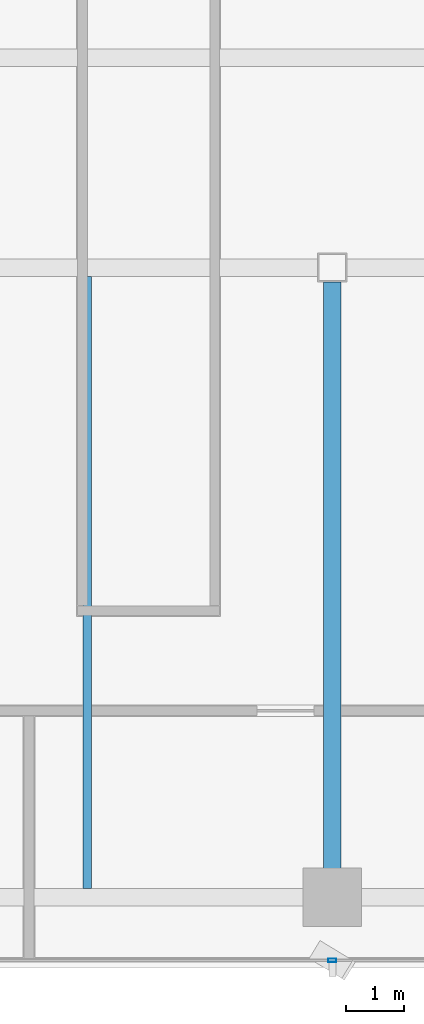
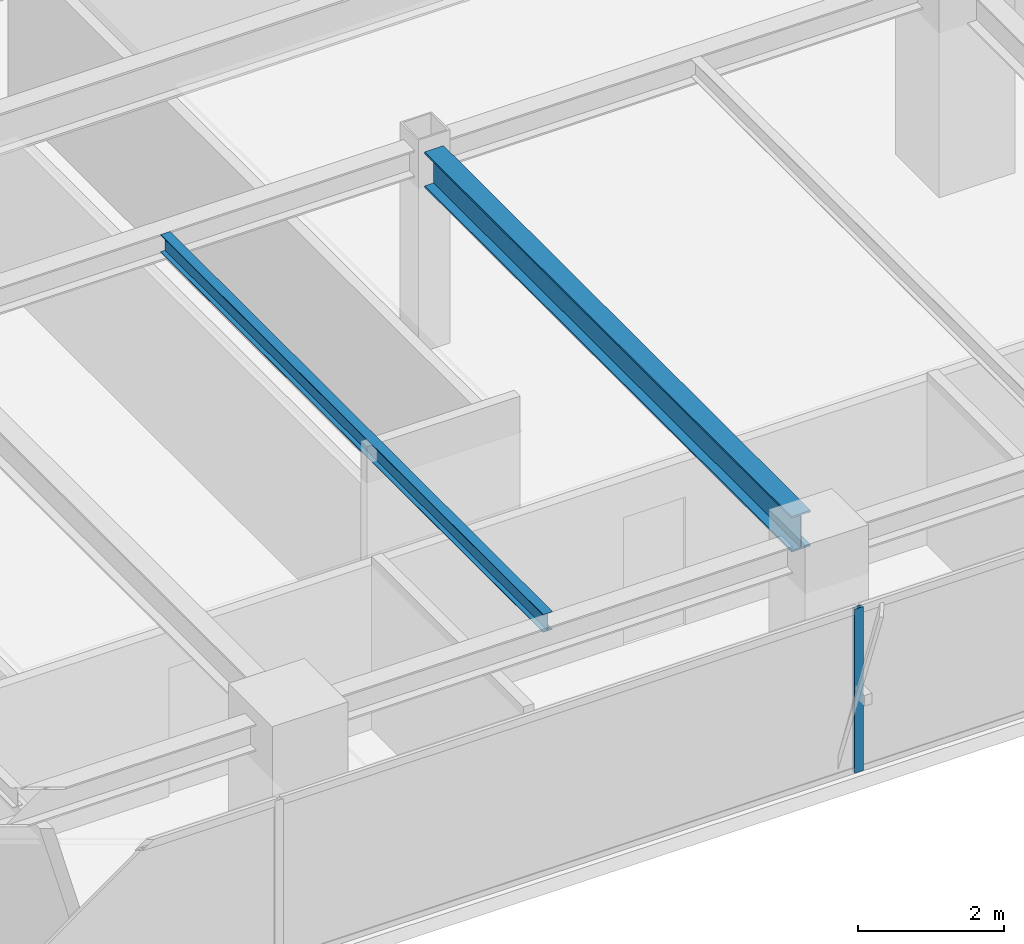
# One storey, part 6 of 26: 2 beams, 1 member, 1 element without a shape of its own.
"""IFC4 building model written with IfcOpenShell, lengths in metres."""

import ifcopenshell
import ifcopenshell.guid

model = None  # the IFC model being written
_history = None  # IfcOwnerHistory: only IFC2X3 demands one
_inside = {}  # id of a spatial element -> (the spatial element, [elements in it])
_under = {}  # id of a project, library or spatial element -> (it, [spatial elements below it])
_declared = {}  # id of a project -> (the project, [libraries it declares])
_typed = {}  # id of a type object -> (the type object, [elements of that type])
_made_of = {}  # id of a material, layer set ... -> (it, [elements and type objects made of it])


def new_model(schema):
    """Start an empty IFC model of exactly this schema.

    Asked for "IFC4X3", IfcOpenShell would pick the latest addendum, in which some entities
    have other attributes; the version numbers below select the first issue.
    IFC2X3 requires an IfcOwnerHistory on every rooted entity: one is made here for all.
    """
    global model, _history
    if schema == "IFC4X3":
        model = ifcopenshell.file(schema_version=(4, 3, 0, 0))
    else:
        model = ifcopenshell.file(schema=schema)
    _inside.clear()
    _under.clear()
    _declared.clear()
    _typed.clear()
    _made_of.clear()
    _history = None
    if model.schema == "IFC2X3":
        org = make("IfcOrganization", Name="unknown")
        user = make(
            "IfcPersonAndOrganization",
            ThePerson=make("IfcPerson", FamilyName="unknown"),
            TheOrganization=org,
        )
        app = make(
            "IfcApplication",
            ApplicationDeveloper=org,
            Version="unknown",
            ApplicationFullName="unknown",
            ApplicationIdentifier="unknown",
        )
        _history = make(
            "IfcOwnerHistory",
            OwningUser=user,
            OwningApplication=app,
            ChangeAction="ADDED",
            CreationDate=0,
        )
    return model


def make(cls, **values):
    """One entity of the class cls with the attributes given. An attribute that is None is left unset."""
    return model.create_entity(
        cls, **{name: value for name, value in values.items() if value is not None}
    )


def rooted(cls, **values):
    """An entity with a GlobalId (a new one), such as an element, a storey or a relation."""
    return make(cls, GlobalId=ifcopenshell.guid.new(), OwnerHistory=_history, **values)


def si_unit(unit_type, name, prefix=None):
    """IfcSIUnit, for example si_unit("LENGTHUNIT", "METRE", prefix="MILLI")."""
    return make("IfcSIUnit", UnitType=unit_type, Prefix=prefix, Name=name)


def assignment(units):
    """IfcUnitAssignment: the units of a project."""
    return None if units is None else make("IfcUnitAssignment", Units=units)


def point(xyz):
    """IfcCartesianPoint."""
    return None if xyz is None else make("IfcCartesianPoint", Coordinates=xyz)


def direction(xyz):
    """IfcDirection."""
    return None if xyz is None else make("IfcDirection", DirectionRatios=xyz)


def frame(location, z_axis=None, x_axis=None):
    """IfcAxis2Placement3D, a coordinate frame: its origin and axes. An axis left out is left unset."""
    return make(
        "IfcAxis2Placement3D",
        Location=point(location),
        Axis=direction(z_axis),
        RefDirection=direction(x_axis),
    )


def frame_2d(location, x_axis=None):
    """IfcAxis2Placement2D, a coordinate frame in the plane: its origin and x axis."""
    return make(
        "IfcAxis2Placement2D", Location=point(location), RefDirection=direction(x_axis)
    )


def origin():
    """The frame at (0, 0, 0) with its axes left unset."""
    return frame((0.0, 0.0, 0.0))


def origin_2d():
    """The frame at (0, 0) in the plane with its x axis left unset."""
    return frame_2d((0.0, 0.0))


def place(relative_to, where):
    """IfcLocalPlacement: puts the frame where relative to a parent placement (None: the world)."""
    return make(
        "IfcLocalPlacement", PlacementRelTo=relative_to, RelativePlacement=where
    )


def context(
    kind, dimensions, precision=None, world=None, true_north=None, identifier=None
):
    """IfcGeometricRepresentationContext, for example the 3D "Model" context."""
    return make(
        "IfcGeometricRepresentationContext",
        ContextIdentifier=identifier,
        ContextType=kind,
        CoordinateSpaceDimension=dimensions,
        Precision=precision,
        WorldCoordinateSystem=world,
        TrueNorth=true_north,
    )


def subcontext(parent, identifier, kind, view, scale=None):
    """IfcGeometricRepresentationSubContext, for example "Body" below "Model"."""
    return make(
        "IfcGeometricRepresentationSubContext",
        ContextIdentifier=identifier,
        ContextType=kind,
        ParentContext=parent,
        TargetScale=scale,
        TargetView=view,
    )


def project(units=None, contexts=None):
    """IfcProject with its units and contexts."""
    return rooted(
        "IfcProject",
        Name="project",
        RepresentationContexts=contexts,
        UnitsInContext=assignment(units),
    )


def spatial(cls, under=None, at=None, **own):
    """A site, building, storey or space (cls), placed at a placement, below another one or the project."""
    s = rooted(cls, ObjectPlacement=at, **own)
    if under is not None:
        _under.setdefault(under.id(), (under, []))[1].append(s)
    return s


def profile(cls, at=None, kind="AREA", **sizes):
    """A parametric profile (cls). Its sizes go by their IFC names, for example OverallWidth=200.0."""
    return make(cls, ProfileType=kind, Position=at, **sizes)


def hollow_rectangle(**sizes):
    """IfcRectangleHollowProfileDef."""
    return profile("IfcRectangleHollowProfileDef", **sizes)


def i_section(**sizes):
    """IfcIShapeProfileDef."""
    return profile("IfcIShapeProfileDef", **sizes)


def extrude(swept, where, along, depth):
    """IfcExtrudedAreaSolid: the profile swept, set in the frame where, extruded along a direction by depth."""
    return make(
        "IfcExtrudedAreaSolid",
        SweptArea=swept,
        Position=where,
        ExtrudedDirection=direction(along),
        Depth=depth,
    )


def shape(context_of_items, identifier, shape_type, items):
    """IfcShapeRepresentation: the items that make up one representation, for example the "Body"."""
    return make(
        "IfcShapeRepresentation",
        ContextOfItems=context_of_items,
        RepresentationIdentifier=identifier,
        RepresentationType=shape_type,
        Items=items,
    )


def source(mapping_origin, context_of_items, identifier, shape_type, items):
    """IfcRepresentationMap: a shape defined once, which mapped items show again and again."""
    return make(
        "IfcRepresentationMap",
        MappingOrigin=mapping_origin,
        MappedRepresentation=shape(context_of_items, identifier, shape_type, items),
    )


def transform(
    local_origin,
    x_axis=None,
    y_axis=None,
    z_axis=None,
    scale=None,
    scale2=None,
    scale3=None,
    uniform=True,
):
    """IfcCartesianTransformationOperator3D, or its non-uniform kind. x_axis, y_axis, z_axis: its Axis1, 2, 3."""
    if uniform:
        return make(
            "IfcCartesianTransformationOperator3D",
            Axis1=direction(x_axis),
            Axis2=direction(y_axis),
            LocalOrigin=point(local_origin),
            Scale=scale,
            Axis3=direction(z_axis),
        )
    return make(
        "IfcCartesianTransformationOperator3DnonUniform",
        Axis1=direction(x_axis),
        Axis2=direction(y_axis),
        LocalOrigin=point(local_origin),
        Scale=scale,
        Axis3=direction(z_axis),
        Scale2=scale2,
        Scale3=scale3,
    )


def mapped(mapping_source, mapping_target):
    """IfcMappedItem: shows the shape of a source again, moved by a transform."""
    return make(
        "IfcMappedItem", MappingSource=mapping_source, MappingTarget=mapping_target
    )


def material(Name=None, Category=None):
    """IfcMaterial."""
    return make("IfcMaterial", Name=Name, Category=Category)


def layer(
    of_material, thickness, ventilated=None, Name=None, Category=None, Priority=None
):
    """IfcMaterialLayer: one layer of a wall or slab, of a material (None: an air gap)."""
    return make(
        "IfcMaterialLayer",
        Material=of_material,
        LayerThickness=thickness,
        IsVentilated=ventilated,
        Name=Name,
        Category=Category,
        Priority=Priority,
    )


def layer_set(layers, Name=None):
    """IfcMaterialLayerSet."""
    return make("IfcMaterialLayerSet", MaterialLayers=layers, LayerSetName=Name)


def material_profile(
    of_material, cross_section, Name=None, Category=None, Priority=None
):
    """IfcMaterialProfile: a cross section and its material."""
    return make(
        "IfcMaterialProfile",
        Name=Name,
        Material=of_material,
        Profile=cross_section,
        Priority=Priority,
        Category=Category,
    )


def profile_set(profiles, Name=None, composite=None):
    """IfcMaterialProfileSet."""
    return make(
        "IfcMaterialProfileSet",
        Name=Name,
        MaterialProfiles=profiles,
        CompositeProfile=composite,
    )


def made_of(thing, what):
    """Note that an element or type object is made of a material, layer set ...; save() writes the relation."""
    if what is not None:
        _made_of.setdefault(what.id(), (what, []))[1].append(thing)
    return thing


def type_object(cls, material=None, **own):
    """A type object (cls), such as IfcWallType, which elements share."""
    return made_of(rooted(cls, **own), material)


def element(
    cls,
    number,
    at=None,
    inside=None,
    cuts=None,
    type_object=None,
    material=None,
    context=None,
    identifier="Body",
    shape_type=None,
    held_by="IfcProductDefinitionShape",
    body=None,
    shapes=None,
    **own,
):
    """One element of the class cls, such as IfcWall. Its Tag is "e" and its number.

    at: its placement. inside: the storey or other place that contains it. cuts: it is an
    opening in that element (IfcRelVoidsElement). A single representation is given by context,
    identifier, shape_type and body (its items); several are given by shapes. held_by: the class
    of the entity that holds the representations. save() writes the other relations.
    """
    e = rooted(cls, Tag="e%d" % number, ObjectPlacement=at, **own)
    if body is not None:
        shapes = [shape(context, identifier, shape_type, body)]
    if shapes is not None:
        e.Representation = make(held_by, Representations=shapes)
    if inside is not None:
        _inside.setdefault(inside.id(), (inside, []))[1].append(e)
    if cuts is not None:
        rooted(
            "IfcRelVoidsElement", RelatingBuildingElement=cuts, RelatedOpeningElement=e
        )
    if type_object is not None:
        _typed.setdefault(type_object.id(), (type_object, []))[1].append(e)
    return made_of(e, material)


def aggregate(whole, parts):
    """IfcRelAggregates: a whole, such as a stair, and the parts it consists of."""
    return rooted("IfcRelAggregates", RelatingObject=whole, RelatedObjects=parts)


def save(model, path):
    """Write the relations noted so far, then the file.

    IfcRelAggregates (storeys below a building ...), IfcRelContainedInSpatialStructure (elements
    in a storey), IfcRelDefinesByType, IfcRelAssociatesMaterial and IfcRelDeclares: one each for
    every whole, place, type object, material and project.
    """
    for whole, parts in _under.values():
        aggregate(whole, parts)
    for where, things in _inside.values():
        rooted(
            "IfcRelContainedInSpatialStructure",
            RelatedElements=things,
            RelatingStructure=where,
        )
    for kind, things in _typed.values():
        rooted("IfcRelDefinesByType", RelatedObjects=things, RelatingType=kind)
    for what, things in _made_of.values():
        rooted("IfcRelAssociatesMaterial", RelatedObjects=things, RelatingMaterial=what)
    for by, libraries in _declared.values():
        rooted("IfcRelDeclares", RelatingContext=by, RelatedDefinitions=libraries)
    model.write(path)


model = new_model("IFC4")

# Units and contexts
model_context = context("Model", 3, precision=1e-05, world=origin(), true_north=direction((0.0, 1.0)))
body_context = subcontext(model_context, "Body", "Model", "MODEL_VIEW")
ifc_project = project(units=[si_unit("LENGTHUNIT", "METRE"), si_unit("AREAUNIT", "SQUARE_METRE"), si_unit("VOLUMEUNIT", "CUBIC_METRE"), si_unit("PLANEANGLEUNIT", "RADIAN"), si_unit("MASSUNIT", "GRAM", prefix="KILO")], contexts=[model_context])

# Site, building, storey
site_placement = place(None, origin())
site = spatial("IfcSite", under=ifc_project, at=site_placement, CompositionType="ELEMENT")
building_placement = place(site_placement, origin())
building = spatial("IfcBuilding", under=site, at=building_placement, Name="Sumidabori Civic Tower", CompositionType="ELEMENT")
storey_placement = place(building_placement, frame((0.0, 0.0, 261.199951171875)))
storey = spatial("IfcBuildingStorey", under=building, at=storey_placement, Name="L68", CompositionType="ELEMENT", Elevation=261.199951171875)

# Beams
ifc_material_1 = material(Name="Steel SN490", Category="steel")
ifc_material_profile_1 = material_profile(ifc_material_1, i_section(OverallWidth=0.300048828125, OverallDepth=0.60009765625, WebThickness=0.015380859375, FlangeThickness=0.030029296875, at=origin_2d()), Name="HE 600 B")
ifc_profile_set_1 = profile_set([ifc_material_profile_1], Name="Steel SN490")
beam_type_1 = type_object("IfcBeamType", Name="BM-GIRD-600", PredefinedType="BEAM", material=ifc_profile_set_1)
shared_shape_1 = source(origin(), body_context, "Body", "SweptSolid", [
    extrude(i_section(OverallWidth=0.300048828125, OverallDepth=0.60009765625, WebThickness=0.015380859375, FlangeThickness=0.030029296875, at=origin_2d()), origin(), (0.0, 0.0, 1.0), 10.070068359375),
])
beam_1_placement = place(storey_placement, frame((0.0, -10.320068359375, 3.070068359375), z_axis=(0.0, 1.0, 0.0), x_axis=(-1.0, 0.0, 0.0)))
element("IfcBeam", 1, at=beam_1_placement, inside=storey, type_object=beam_type_1, Name="Primary Girder L68 GY-13", PredefinedType="BEAM", context=body_context, shape_type="MappedRepresentation", body=[
    mapped(shared_shape_1, transform((0.0, 0.0, 0.0), x_axis=(1.0, 0.0, 0.0), y_axis=(0.0, 1.0, 0.0), z_axis=(0.0, 0.0, 1.0), scale=1.0)),
])
ifc_material_profile_2 = material_profile(ifc_material_1, i_section(OverallWidth=0.14990234375, OverallDepth=0.300048828125, WebThickness=0.007080078125, FlangeThickness=0.0107421875, at=origin_2d()), Name="IPE 300")
ifc_profile_set_2 = profile_set([ifc_material_profile_2], Name="Steel SN490")
beam_type_2 = type_object("IfcBeamType", Name="BM-JST-300", PredefinedType="JOIST", material=ifc_profile_set_2)
shared_shape_2 = source(origin(), body_context, "Body", "SweptSolid", [
    extrude(i_section(OverallWidth=0.14990234375, OverallDepth=0.300048828125, WebThickness=0.007080078125, FlangeThickness=0.0107421875, at=origin_2d()), origin(), (0.0, 0.0, 1.0), 10.5),
])
beam_2_placement = place(storey_placement, frame((-4.199951171875, -10.64990234375, 3.219970703125), z_axis=(0.0, 1.0, 0.0), x_axis=(-1.0, 0.0, 0.0)))
element("IfcBeam", 2, at=beam_2_placement, inside=storey, type_object=beam_type_2, Name="Upper Lens N-S Floor Joist L68 JSTV-21", PredefinedType="JOIST", context=body_context, shape_type="MappedRepresentation", body=[
    mapped(shared_shape_2, transform((0.0, 0.0, 0.0), x_axis=(1.0, 0.0, 0.0), y_axis=(0.0, 1.0, 0.0), z_axis=(0.0, 0.0, 1.0), scale=1.0)),
])

# Curtain wall, member
ifc_material_2 = material(Name="Anodised Bronze Aluminium AW-6063-T6", Category="aluminium")
ifc_layer = layer(ifc_material_2, 0.179931640625, Name="Anodised Bronze Aluminium AW-6063-T6")
ifc_layer_set = layer_set([ifc_layer], Name="Anodised Bronze Aluminium AW-6063-T6")
curtain_wall_type = type_object("IfcCurtainWallType", Name="CW-SYS-5", PredefinedType="NOTDEFINED", material=ifc_layer_set)
curtain_wall_placement = place(storey_placement, origin())
curtain_wall = element("IfcCurtainWall", 3, at=curtain_wall_placement, inside=storey, type_object=curtain_wall_type, Name="Curtain Wall CW:L68:R01", PredefinedType="NOTDEFINED")
ifc_material_profile_3 = material_profile(ifc_material_2, hollow_rectangle(XDim=0.06005859375, YDim=0.139892578125, WallThickness=0.0048828125, at=origin_2d()), Name="ALU MULLION 140x60")
ifc_profile_set_3 = profile_set([ifc_material_profile_3], Name="Anodised Bronze Aluminium AW-6063-T6")
member_type = type_object("IfcMemberType", Name="CW-MUL-140", PredefinedType="MULLION", material=ifc_profile_set_3)
shared_shape_3 = source(origin(), body_context, "Body", "SweptSolid", [
    extrude(hollow_rectangle(XDim=0.06005859375, YDim=0.139892578125, WallThickness=0.0048828125, at=origin_2d()), origin(), (0.0, 0.0, 1.0), 2.75),
])
member_placement = place(storey_placement, frame((0.0, -11.8798828125, 0.0), z_axis=(0.0, 0.0, 1.0), x_axis=(0.0, 1.0, 0.0)))
member = element("IfcMember", 4, at=member_placement, type_object=member_type, Name="CW-5 mullion 3", PredefinedType="MULLION", context=body_context, shape_type="MappedRepresentation", body=[
    mapped(shared_shape_3, transform((0.0, 0.0, 0.0), x_axis=(1.0, 0.0, 0.0), y_axis=(0.0, 1.0, 0.0), z_axis=(0.0, 0.0, 1.0), scale=1.0)),
])
aggregate(curtain_wall, [member])

save(model, "model.ifc")
